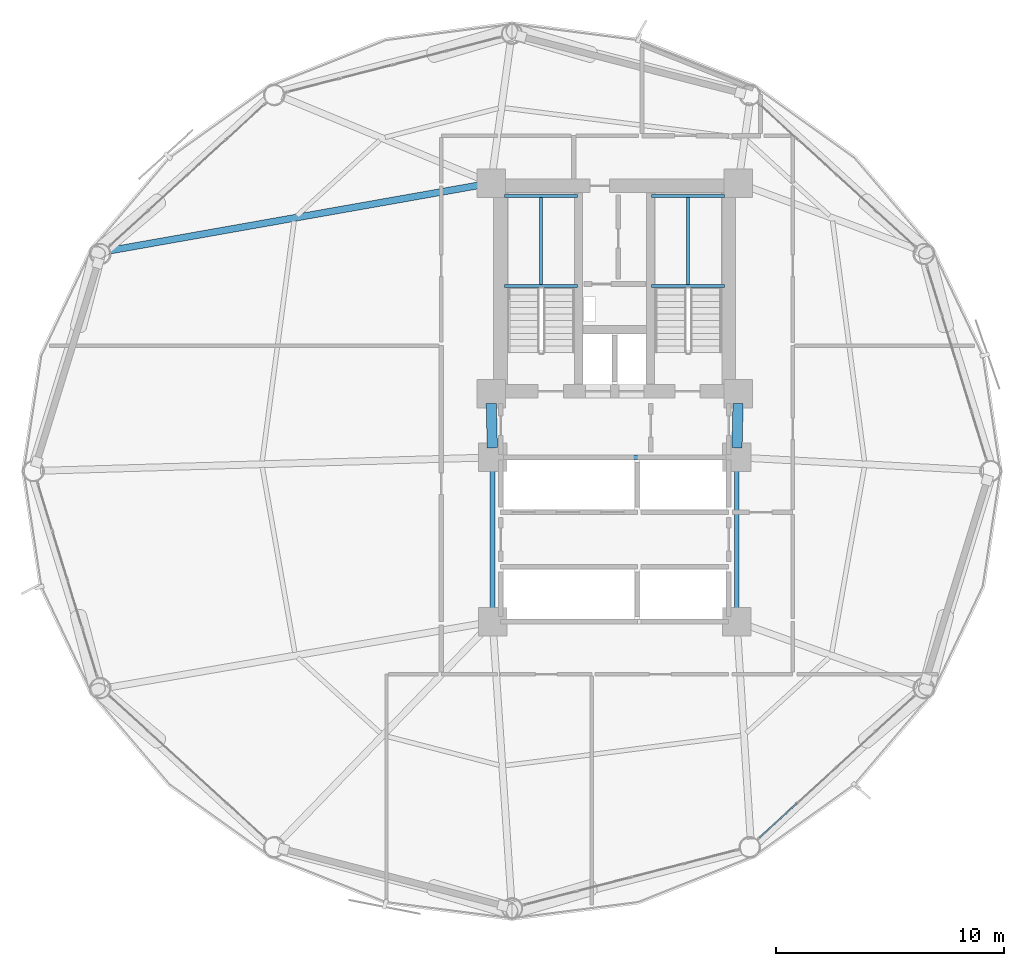
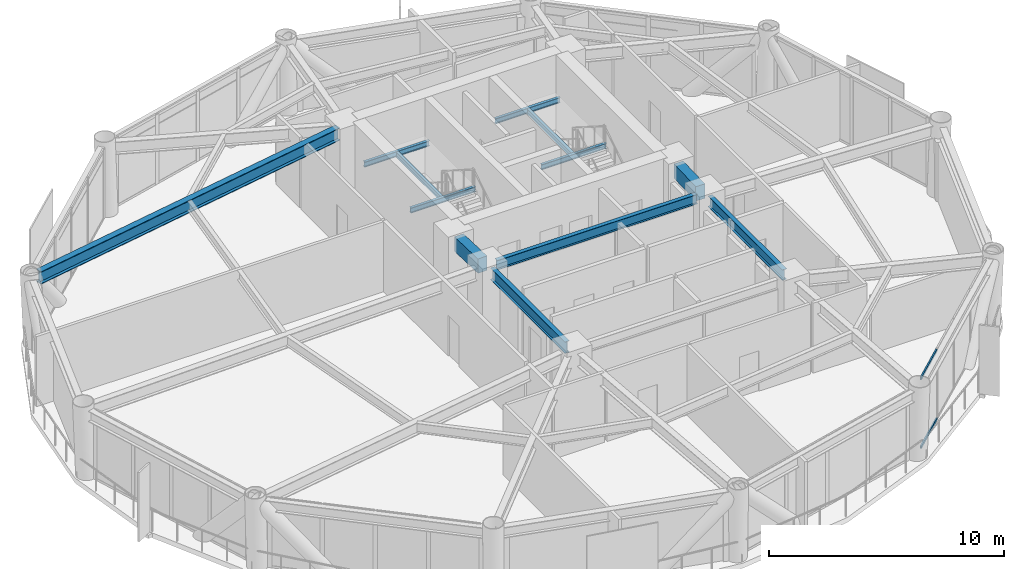
# One storey, part 13 of 26: 12 beams, 2 members, 1 element without a shape of its own.
"""IFC4 building model written with IfcOpenShell, lengths in metres."""

from ifc_helpers import new_model, si_unit, direction, frame, origin, origin_2d, place, context, subcontext, project, spatial, rectangle, hollow_rectangle, i_section, extrude, material, layer, layer_set, material_profile, profile_set, type_object, element, aggregate, save


model = new_model("IFC4")

# Units and contexts
model_context = context("Model", 3, precision=1e-05, world=origin(), true_north=direction((0.0, 1.0)))
body_context = subcontext(model_context, "Body", "Model", "MODEL_VIEW")
ifc_project = project(units=[si_unit("LENGTHUNIT", "METRE"), si_unit("AREAUNIT", "SQUARE_METRE"), si_unit("VOLUMEUNIT", "CUBIC_METRE"), si_unit("PLANEANGLEUNIT", "RADIAN"), si_unit("MASSUNIT", "GRAM", prefix="KILO")], contexts=[model_context])

# Site, building, storey
site_placement = place(None, origin())
site = spatial("IfcSite", under=ifc_project, at=site_placement, CompositionType="ELEMENT")
building_placement = place(site_placement, origin())
building = spatial("IfcBuilding", under=site, at=building_placement, Name="Varnakorn Sky Granary", CompositionType="ELEMENT")
storey_placement = place(building_placement, frame((0.0, 0.0, 47.10009765625)))
storey = spatial("IfcBuildingStorey", under=building, at=storey_placement, Name="L11", CompositionType="ELEMENT", Elevation=47.10009765625)

# Beams
ifc_material_1 = material(Name="Steel S355JR", Category="steel")
ifc_material_profile_1 = material_profile(ifc_material_1, i_section(OverallWidth=0.2099609375, OverallDepth=0.550048828125, WebThickness=0.010986328125, FlangeThickness=0.01708984375, at=origin_2d()), Name="IPE 550")
ifc_profile_set_1 = profile_set([ifc_material_profile_1], Name="Steel S355JR")
beam_type_1 = type_object("IfcBeamType", Name="BM-JST-550", PredefinedType="JOIST", material=ifc_profile_set_1)
beam_1_placement = place(storey_placement, frame((8.35009765625, 0.179931640625, 3.364990234375), z_axis=(0.0, -1.0, 0.0), x_axis=(1.0, 0.0, 0.0)))
element("IfcBeam", 1, at=beam_1_placement, inside=storey, type_object=beam_type_1, Name="Core Spine Framing Beam 4 L11", PredefinedType="JOIST", context=body_context, shape_type="SweptSolid", body=[
    extrude(i_section(OverallWidth=0.2099609375, OverallDepth=0.550048828125, WebThickness=0.010986328125, FlangeThickness=0.01708984375, at=origin_2d()), origin(), (0.0, 0.0, 1.0), 6.35986328125),
])
ifc_material_profile_2 = material_profile(ifc_material_1, i_section(OverallWidth=0.219970703125, OverallDepth=0.60009765625, WebThickness=0.011962890625, FlangeThickness=0.01904296875, at=origin_2d()), Name="IPE 600")
ifc_profile_set_2 = profile_set([ifc_material_profile_2], Name="Steel S355JR")
beam_type_2 = type_object("IfcBeamType", Name="BM-JST-600", PredefinedType="JOIST", material=ifc_profile_set_2)
beam_2_placement = place(storey_placement, frame((-2.35009765625, 0.179931640625, 3.33984375), z_axis=(0.0, -1.0, 0.0), x_axis=(1.0, 0.0, 0.0)))
element("IfcBeam", 2, at=beam_2_placement, inside=storey, type_object=beam_type_2, Name="Core Spine Framing Beam 3 L11", PredefinedType="JOIST", context=body_context, shape_type="SweptSolid", body=[
    extrude(i_section(OverallWidth=0.219970703125, OverallDepth=0.60009765625, WebThickness=0.011962890625, FlangeThickness=0.01904296875, at=origin_2d()), origin(), (0.0, 0.0, 1.0), 6.35986328125),
])
ifc_material_2 = material(Name="Concrete C60/75", Category="concrete")
ifc_material_profile_3 = material_profile(ifc_material_2, rectangle(XDim=0.449951171875, YDim=0.75, at=origin_2d()), Name="RC 450x750")
ifc_profile_set_3 = profile_set([ifc_material_profile_3], Name="Concrete C60/75")
beam_type_3 = type_object("IfcBeamType", Name="BM-LIN-750", PredefinedType="LINTEL", material=ifc_profile_set_3)
for number, where, z_axis, x_axis, name in (
    (3, (-2.409423828125, 2.960205078125, 3.264892578125), (0.025158763514, -0.999683468213, 0.0), (0.999683468213, 0.025158763514, 0.0), "Core Spine Framing Beam 1 L11"),
    (4, (8.409423828125, 2.960205078125, 3.264892578125), (-0.025158763514, -0.999683468213, 0.0), (0.999683468213, -0.025158763514, 0.0), "Core Spine Framing Beam 2 L11"),
):
    element("IfcBeam", number, at=place(storey_placement, frame(where, z_axis=z_axis, x_axis=x_axis)), inside=storey, type_object=beam_type_3, Name=name, PredefinedType="LINTEL", context=body_context, shape_type="SweptSolid", body=[
        extrude(rectangle(XDim=0.449951171875, YDim=0.75, at=origin_2d()), origin(), (0.0, 0.0, 1.0), 1.94091796875),
    ])
ifc_material_profile_4 = material_profile(ifc_material_1, i_section(OverallWidth=0.135009765625, OverallDepth=0.27001953125, WebThickness=0.006591796875, FlangeThickness=0.01025390625, at=origin_2d()), Name="IPE 270")
ifc_profile_set_4 = profile_set([ifc_material_profile_4], Name="Steel S355JR")
beam_type_4 = type_object("IfcBeamType", Name="BM-LND-270", PredefinedType="BEAM", material=ifc_profile_set_4)
for number, where, z_axis, x_axis, name in (
    (5, (-1.820068359375, 8.1201171875, 1.614990234375), (1.0, 0.0, 0.0), (0.0, 1.0, 0.0), "Stair ST-1 Landing Trimmer Beam A L11-1"),
    (6, (-1.820068359375, 12.06005859375, 1.614990234375), (1.0, 0.0, 0.0), (0.0, 1.0, 0.0), "Stair ST-1 Landing Trimmer Beam B L11-1"),
):
    element("IfcBeam", number, at=place(storey_placement, frame(where, z_axis=z_axis, x_axis=x_axis)), inside=storey, type_object=beam_type_4, Name=name, PredefinedType="BEAM", context=body_context, shape_type="SweptSolid", body=[
        extrude(i_section(OverallWidth=0.135009765625, OverallDepth=0.27001953125, WebThickness=0.006591796875, FlangeThickness=0.01025390625, at=origin_2d()), origin(), (0.0, 0.0, 1.0), 3.199951171875),
    ])
beam_3_placement = place(storey_placement, frame((-0.219970703125, 8.1201171875, 1.614990234375), z_axis=(0.0, 1.0, 0.0), x_axis=(-1.0, 0.0, 0.0)))
element("IfcBeam", 7, at=beam_3_placement, inside=storey, type_object=beam_type_4, Name="Stair ST-1 Landing Cross Beam C L11-1", PredefinedType="BEAM", context=body_context, shape_type="SweptSolid", body=[
    extrude(i_section(OverallWidth=0.135009765625, OverallDepth=0.27001953125, WebThickness=0.006591796875, FlangeThickness=0.01025390625, at=origin_2d()), origin(), (0.0, 0.0, 1.0), 3.93994140625),
])
for number, where, z_axis, x_axis, name in (
    (8, (4.6201171875, 8.1201171875, 1.614990234375), (1.0, 0.0, 0.0), (0.0, 1.0, 0.0), "Stair ST-2 Landing Trimmer Beam A L11-1"),
    (9, (4.6201171875, 12.06005859375, 1.614990234375), (1.0, 0.0, 0.0), (0.0, 1.0, 0.0), "Stair ST-2 Landing Trimmer Beam B L11-1"),
):
    element("IfcBeam", number, at=place(storey_placement, frame(where, z_axis=z_axis, x_axis=x_axis)), inside=storey, type_object=beam_type_4, Name=name, PredefinedType="BEAM", context=body_context, shape_type="SweptSolid", body=[
        extrude(i_section(OverallWidth=0.135009765625, OverallDepth=0.27001953125, WebThickness=0.006591796875, FlangeThickness=0.01025390625, at=origin_2d()), origin(), (0.0, 0.0, 1.0), 3.199951171875),
    ])
beam_4_placement = place(storey_placement, frame((6.219970703125, 8.1201171875, 1.614990234375), z_axis=(0.0, 1.0, 0.0), x_axis=(-1.0, 0.0, 0.0)))
element("IfcBeam", 10, at=beam_4_placement, inside=storey, type_object=beam_type_4, Name="Stair ST-2 Landing Cross Beam C L11-1", PredefinedType="BEAM", context=body_context, shape_type="SweptSolid", body=[
    extrude(i_section(OverallWidth=0.135009765625, OverallDepth=0.27001953125, WebThickness=0.006591796875, FlangeThickness=0.01025390625, at=origin_2d()), origin(), (0.0, 0.0, 1.0), 3.93994140625),
])
ifc_material_profile_5 = material_profile(ifc_material_1, i_section(OverallWidth=0.300048828125, OverallDepth=0.64990234375, WebThickness=0.01611328125, FlangeThickness=0.031005859375, at=origin_2d()), Name="HE 650 B")
ifc_profile_set_5 = profile_set([ifc_material_profile_5], Name="Steel S355JR")
beam_type_5 = type_object("IfcBeamType", Name="BM-RAD-Z1", PredefinedType="BEAM", material=ifc_profile_set_5)
beam_5_placement = place(storey_placement, frame((-2.83349609375, 12.546875, 3.31494140625), z_axis=(-0.984704035221, -0.174235366728, 0.0), x_axis=(0.174235366728, -0.984704035221, 0.0)))
element("IfcBeam", 11, at=beam_5_placement, inside=storey, type_object=beam_type_5, Name="Radial Floor Girder RG06 L11", PredefinedType="BEAM", context=body_context, shape_type="SweptSolid", body=[
    extrude(i_section(OverallWidth=0.300048828125, OverallDepth=0.64990234375, WebThickness=0.01611328125, FlangeThickness=0.031005859375, at=origin_2d()), origin(), (0.0, 0.0, 1.0), 16.649169921875),
])
ifc_material_profile_6 = material_profile(ifc_material_1, i_section(OverallWidth=0.199951171875, OverallDepth=0.5, WebThickness=0.01025390625, FlangeThickness=0.01611328125, at=origin_2d()), Name="IPE 500")
ifc_profile_set_6 = profile_set([ifc_material_profile_6], Name="Steel S355JR")
beam_type_6 = type_object("IfcBeamType", Name="BM-SEC-Z1", PredefinedType="BEAM", material=ifc_profile_set_6)
beam_6_placement = place(storey_placement, frame((-1.929931640625, 0.60009765625, 3.389892578125), z_axis=(1.0, 0.0, 0.0), x_axis=(0.0, 1.0, 0.0)))
element("IfcBeam", 12, at=beam_6_placement, inside=storey, type_object=beam_type_6, Name="Core Spine Framing Beam 5 L11", PredefinedType="BEAM", context=body_context, shape_type="SweptSolid", body=[
    extrude(i_section(OverallWidth=0.199951171875, OverallDepth=0.5, WebThickness=0.01025390625, FlangeThickness=0.01611328125, at=origin_2d()), origin(), (0.0, 0.0, 1.0), 9.85986328125),
])

# Curtain wall, members
ifc_material_3 = material(Name="Anodised Bronze Aluminium Alloy 6063-T6", Category="aluminium")
ifc_layer = layer(ifc_material_3, 0.18994140625, Name="Anodised Bronze Aluminium Alloy 6063-T6")
ifc_layer_set = layer_set([ifc_layer], Name="Anodised Bronze Aluminium Alloy 6063-T6")
curtain_wall_type = type_object("IfcCurtainWallType", Name="CW-FRM-1", PredefinedType="USERDEFINED", material=ifc_layer_set)
curtain_wall_placement = place(storey_placement, origin())
curtain_wall = element("IfcCurtainWall", 13, at=curtain_wall_placement, inside=storey, type_object=curtain_wall_type, Name="Unitised Curtain Wall CW3 CW-L11-B11", ObjectType="CURTAIN WALL", PredefinedType="USERDEFINED")
ifc_material_profile_7 = material_profile(ifc_material_3, hollow_rectangle(XDim=0.070068359375, YDim=0.139892578125, WallThickness=0.00341796875, at=origin_2d()), Name="ALU TRAN 70x140")
ifc_profile_set_7 = profile_set([ifc_material_profile_7], Name="Anodised Bronze Aluminium Alloy 6063-T6")
member_type = type_object("IfcMemberType", Name="CW-FRM-1-TRAN", PredefinedType="USERDEFINED", material=ifc_profile_set_7)
member_1_placement = place(storey_placement, frame((10.977294921875, -14.57666015625, 0.034912109375), z_axis=(-0.738328085792, -0.674441723005, 0.0), x_axis=(0.674441723005, -0.738328085792, 0.0)))
member_1 = element("IfcMember", 14, at=member_1_placement, type_object=member_type, Name="CW3 transom 4.1", ObjectType="TRANSOM", PredefinedType="USERDEFINED", context=body_context, shape_type="SweptSolid", body=[
    extrude(hollow_rectangle(XDim=0.070068359375, YDim=0.139892578125, WallThickness=0.00341796875, at=origin_2d()), origin(), (0.0, 0.0, 1.0), 2.216552734375),
])
member_2_placement = place(storey_placement, frame((10.977294921875, -14.57666015625, 3.60498046875), z_axis=(-0.738328085792, -0.674441723005, 0.0), x_axis=(0.674441723005, -0.738328085792, 0.0)))
member_2 = element("IfcMember", 15, at=member_2_placement, type_object=member_type, Name="CW3 transom 4.2", ObjectType="TRANSOM", PredefinedType="USERDEFINED", context=body_context, shape_type="SweptSolid", body=[
    extrude(hollow_rectangle(XDim=0.070068359375, YDim=0.139892578125, WallThickness=0.00341796875, at=origin_2d()), origin(), (0.0, 0.0, 1.0), 2.216552734375),
])
aggregate(curtain_wall, [member_1, member_2])

save(model, "model.ifc")
